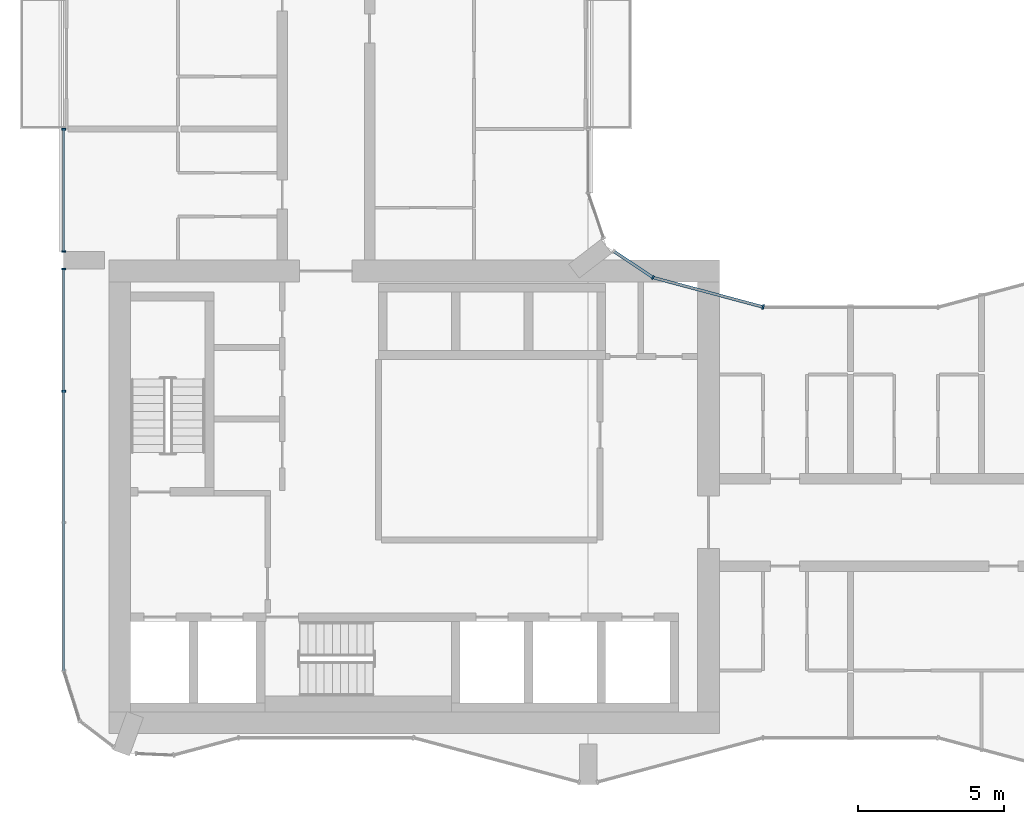
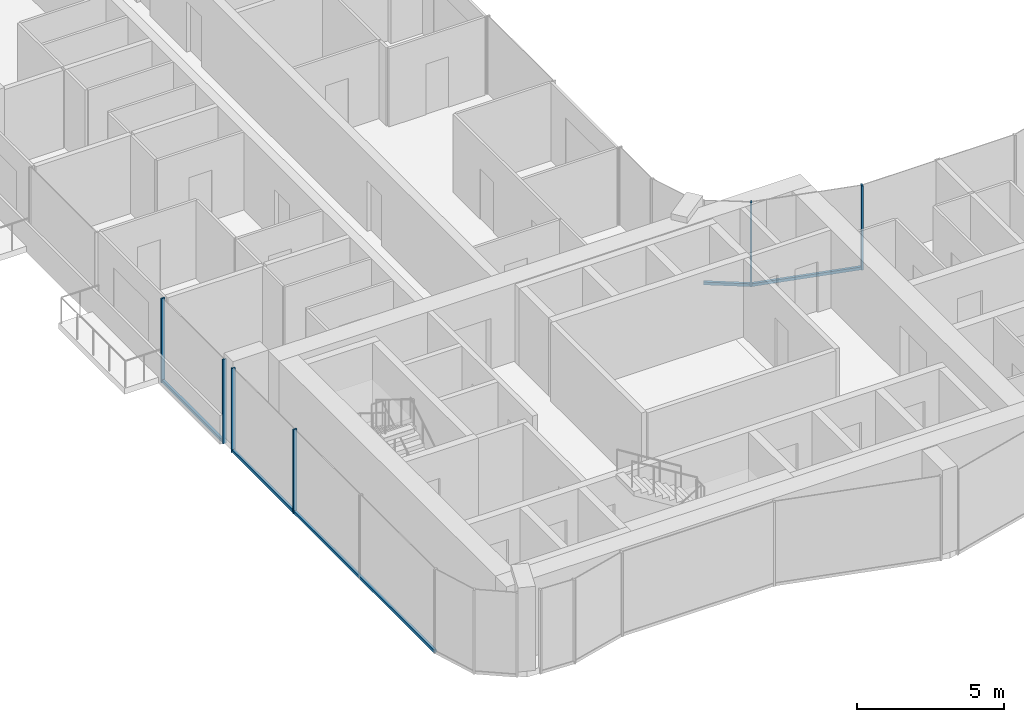
# One storey, part 3 of 23: 10 members, 4 elements without a shape of their own.
"""IFC4 building model written with IfcOpenShell, lengths in metres."""

from ifc_helpers import new_model, si_unit, direction, frame, origin, origin_2d, place, context, subcontext, project, spatial, rectangle, extrude, material, layer, layer_set, material_profile, profile_set, type_object, element, aggregate, save


model = new_model("IFC4")

# Units and contexts
model_context = context("Model", 3, precision=1e-05, world=origin(), true_north=direction((0.0, 1.0)))
body_context = subcontext(model_context, "Body", "Model", "MODEL_VIEW")
ifc_project = project(units=[si_unit("LENGTHUNIT", "METRE"), si_unit("AREAUNIT", "SQUARE_METRE"), si_unit("VOLUMEUNIT", "CUBIC_METRE"), si_unit("PLANEANGLEUNIT", "RADIAN"), si_unit("MASSUNIT", "GRAM", prefix="KILO")], contexts=[model_context])

# Site, building, storey
site_placement = place(None, origin())
site = spatial("IfcSite", under=ifc_project, at=site_placement, CompositionType="ELEMENT")
building_placement = place(site_placement, origin())
building = spatial("IfcBuilding", under=site, at=building_placement, Name="Plateau Cross Towers", CompositionType="ELEMENT")
storey_placement = place(building_placement, frame((0.0, 0.0, 40.800048828125)))
storey = spatial("IfcBuildingStorey", under=building, at=storey_placement, Name="L09", CompositionType="ELEMENT", Elevation=40.800048828125)

# Curtain wall, member
ifc_material_1 = material(Name="Dark low-iron glass", Category="glass")
ifc_layer_1 = layer(ifc_material_1, 0.239990234375)
ifc_layer_set_1 = layer_set([ifc_layer_1], Name="Dark low-iron glass")
curtain_wall_type_1 = type_object("IfcCurtainWallType", Name="Curtain wall flush unitised CW-B", PredefinedType="NOTDEFINED", material=ifc_layer_set_1)
curtain_wall_1_placement = place(storey_placement, origin())
curtain_wall_1 = element("IfcCurtainWall", 1, at=curtain_wall_1_placement, inside=storey, type_object=curtain_wall_type_1, Name="ENV/A/L09/A202_174", PredefinedType="NOTDEFINED")
ifc_material_2 = material(Name="Black anodised aluminium", Category="aluminium")
ifc_material_profile_1 = material_profile(ifc_material_2, rectangle(XDim=0.06005859375, YDim=0.139892578125, at=origin_2d()), Name="MULLION 60x140")
ifc_profile_set_1 = profile_set([ifc_material_profile_1], Name="Black anodised aluminium")
member_type_1 = type_object("IfcMemberType", Name="Mullion 60x140 flush unitised", PredefinedType="MULLION", material=ifc_profile_set_1)
member_1_placement = place(storey_placement, frame((20.223876953125, 17.404296875, -0.25), z_axis=(0.0, 0.0, 1.0), x_axis=(-0.831521253329, 0.555492938984, 0.0)))
member_1 = element("IfcMember", 2, at=member_1_placement, type_object=member_type_1, Name="CW-B mullion 1", PredefinedType="MULLION", context=body_context, shape_type="SweptSolid", body=[
    extrude(rectangle(XDim=0.06005859375, YDim=0.139892578125, at=origin_2d()), origin(), (0.0, 0.0, 1.0), 3.5),
])

# Curtain wall, members
curtain_wall_2_placement = place(storey_placement, origin())
curtain_wall_2 = element("IfcCurtainWall", 3, at=curtain_wall_2_placement, inside=storey, type_object=curtain_wall_type_1, Name="ENV/A/L09/A0_225", PredefinedType="NOTDEFINED")
member_2_placement = place(storey_placement, frame((0.0, 22.489990234375, -0.25), z_axis=(0.0, 0.0, 1.0), x_axis=(0.0, -1.0, 0.0)))
member_2 = element("IfcMember", 4, at=member_2_placement, type_object=member_type_1, Name="CW-B mullion 1", PredefinedType="MULLION", context=body_context, shape_type="SweptSolid", body=[
    extrude(rectangle(XDim=0.06005859375, YDim=0.139892578125, at=origin_2d()), origin(), (0.0, 0.0, 1.0), 3.5),
])
member_3_placement = place(storey_placement, frame((0.0, 18.300048828125, -0.25), z_axis=(0.0, 0.0, 1.0), x_axis=(0.0, -1.0, 0.0)))
member_3 = element("IfcMember", 5, at=member_3_placement, type_object=member_type_1, Name="CW-B mullion 2", PredefinedType="MULLION", context=body_context, shape_type="SweptSolid", body=[
    extrude(rectangle(XDim=0.06005859375, YDim=0.139892578125, at=origin_2d()), origin(), (0.0, 0.0, 1.0), 3.5),
])

curtain_wall_3_placement = place(storey_placement, origin())
curtain_wall_3 = element("IfcCurtainWall", 6, at=curtain_wall_3_placement, inside=storey, type_object=curtain_wall_type_1, Name="ENV/A/L09/A0_177", PredefinedType="NOTDEFINED")
member_4_placement = place(storey_placement, frame((0.0, 17.699951171875, -0.25), z_axis=(0.0, 0.0, 1.0), x_axis=(0.0, -1.0, 0.0)))
member_4 = element("IfcMember", 7, at=member_4_placement, type_object=member_type_1, Name="CW-B mullion 1", PredefinedType="MULLION", context=body_context, shape_type="SweptSolid", body=[
    extrude(rectangle(XDim=0.06005859375, YDim=0.139892578125, at=origin_2d()), origin(), (0.0, 0.0, 1.0), 3.5),
])
member_5_placement = place(storey_placement, frame((0.0, 13.5, -0.25), z_axis=(0.0, 0.0, 1.0), x_axis=(0.0, -1.0, 0.0)))
member_5 = element("IfcMember", 8, at=member_5_placement, type_object=member_type_1, Name="CW-B mullion 2", PredefinedType="MULLION", context=body_context, shape_type="SweptSolid", body=[
    extrude(rectangle(XDim=0.06005859375, YDim=0.139892578125, at=origin_2d()), origin(), (0.0, 0.0, 1.0), 3.5),
])

# Curtain wall, member
ifc_layer_2 = layer(ifc_material_1, 0.260009765625)
ifc_layer_set_2 = layer_set([ifc_layer_2], Name="Dark low-iron glass")
curtain_wall_type_2 = type_object("IfcCurtainWallType", Name="Curtain wall fluted unitised CW-A", PredefinedType="NOTDEFINED", material=ifc_layer_set_2)
curtain_wall_4_placement = place(storey_placement, origin())
curtain_wall_4 = element("IfcCurtainWall", 9, at=curtain_wall_4_placement, inside=storey, type_object=curtain_wall_type_2, Name="ENV/A/L09/A240_164", PredefinedType="NOTDEFINED")
ifc_material_profile_2 = material_profile(ifc_material_2, rectangle(XDim=0.06005859375, YDim=0.159912109375, at=origin_2d()), Name="MULLION 60x160")
ifc_profile_set_2 = profile_set([ifc_material_profile_2], Name="Black anodised aluminium")
member_type_2 = type_object("IfcMemberType", Name="Mullion 60x160 fluted unitised", PredefinedType="MULLION", material=ifc_profile_set_2)
member_6_placement = place(storey_placement, frame((24.0, 16.39306640625, -0.25), z_axis=(0.0, 0.0, 1.0), x_axis=(-0.965957995816, 0.258698956933, 0.0)))
member_6 = element("IfcMember", 10, at=member_6_placement, type_object=member_type_2, Name="CW-A mullion 1", PredefinedType="MULLION", context=body_context, shape_type="SweptSolid", body=[
    extrude(rectangle(XDim=0.06005859375, YDim=0.159912109375, at=origin_2d()), origin(), (0.0, 0.0, 1.0), 3.5),
])

# Member
ifc_material_profile_3 = material_profile(ifc_material_2, rectangle(XDim=0.10009765625, YDim=0.1201171875, at=origin_2d()), Name="TRANSOM 100x120")
ifc_profile_set_3 = profile_set([ifc_material_profile_3], Name="Black anodised aluminium")
member_type_3 = type_object("IfcMemberType", Name="Transom 100x120 flush unitised", PredefinedType="USERDEFINED", material=ifc_profile_set_3)
member_7_placement = place(storey_placement, frame((20.223876953125, 17.404296875, -0.18994140625), z_axis=(-0.831496402487, 0.555530136582, 0.0), x_axis=(-0.555530136582, -0.831496402487, 0.0)))
member_7 = element("IfcMember", 11, at=member_7_placement, type_object=member_type_3, Name="CW-B transom", ObjectType="TRANSOM", PredefinedType="USERDEFINED", context=body_context, shape_type="SweptSolid", body=[
    extrude(rectangle(XDim=0.10009765625, YDim=0.1201171875, at=origin_2d()), origin(), (0.0, 0.0, 1.0), 1.628662109375),
])

aggregate(curtain_wall_1, [member_1, member_7])

member_8_placement = place(storey_placement, frame((0.0, 22.489990234375, -0.18994140625), z_axis=(0.0, -1.0, 0.0), x_axis=(1.0, 0.0, 0.0)))
member_8 = element("IfcMember", 12, at=member_8_placement, type_object=member_type_3, Name="CW-B transom", ObjectType="TRANSOM", PredefinedType="USERDEFINED", context=body_context, shape_type="SweptSolid", body=[
    extrude(rectangle(XDim=0.10009765625, YDim=0.1201171875, at=origin_2d()), origin(), (0.0, 0.0, 1.0), 4.18994140625),
])

aggregate(curtain_wall_2, [member_2, member_3, member_8])

member_9_placement = place(storey_placement, frame((0.0, 17.699951171875, -0.18994140625), z_axis=(0.0, -1.0, 0.0), x_axis=(1.0, 0.0, 0.0)))
member_9 = element("IfcMember", 13, at=member_9_placement, type_object=member_type_3, Name="CW-B transom", ObjectType="TRANSOM", PredefinedType="USERDEFINED", context=body_context, shape_type="SweptSolid", body=[
    extrude(rectangle(XDim=0.10009765625, YDim=0.1201171875, at=origin_2d()), origin(), (0.0, 0.0, 1.0), 13.790771484375),
])

aggregate(curtain_wall_3, [member_4, member_5, member_9])

ifc_material_profile_4 = material_profile(ifc_material_2, rectangle(XDim=0.10009765625, YDim=0.1201171875, at=origin_2d()), Name="TRANSOM 100x120")
ifc_profile_set_4 = profile_set([ifc_material_profile_4], Name="Black anodised aluminium")
member_type_4 = type_object("IfcMemberType", Name="Transom 100x120 fluted unitised", PredefinedType="USERDEFINED", material=ifc_profile_set_4)
member_10_placement = place(storey_placement, frame((24.0, 16.39306640625, -0.18994140625), z_axis=(-0.965962822393, 0.25868093427, 0.0), x_axis=(-0.25868093427, -0.965962822393, 0.0)))
member_10 = element("IfcMember", 14, at=member_10_placement, type_object=member_type_4, Name="CW-A transom", ObjectType="TRANSOM", PredefinedType="USERDEFINED", context=body_context, shape_type="SweptSolid", body=[
    extrude(rectangle(XDim=0.10009765625, YDim=0.1201171875, at=origin_2d()), origin(), (0.0, 0.0, 1.0), 3.9091796875),
])

aggregate(curtain_wall_4, [member_6, member_10])

save(model, "model.ifc")
